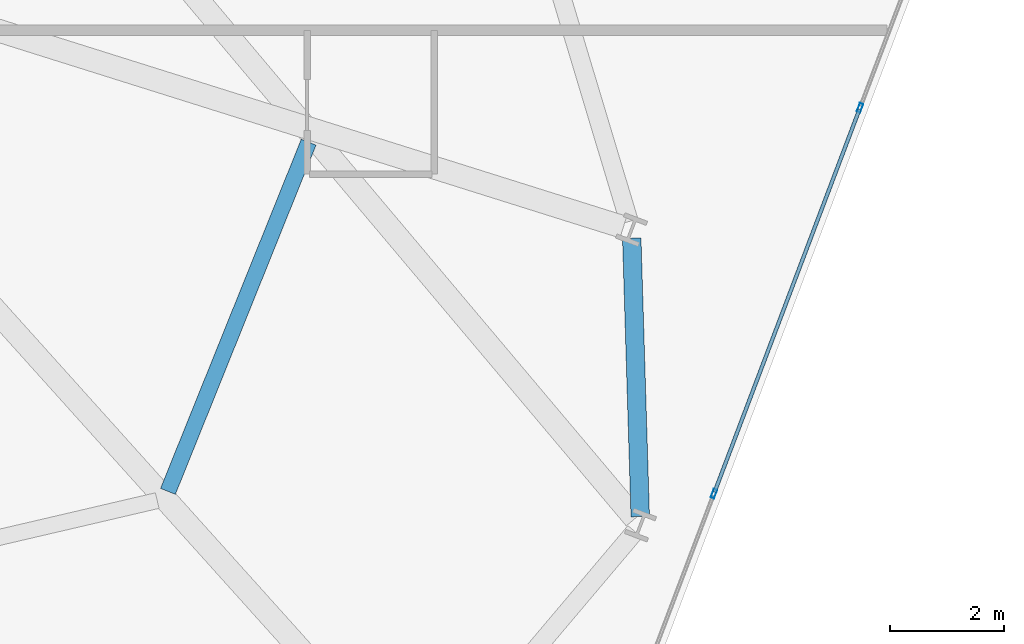
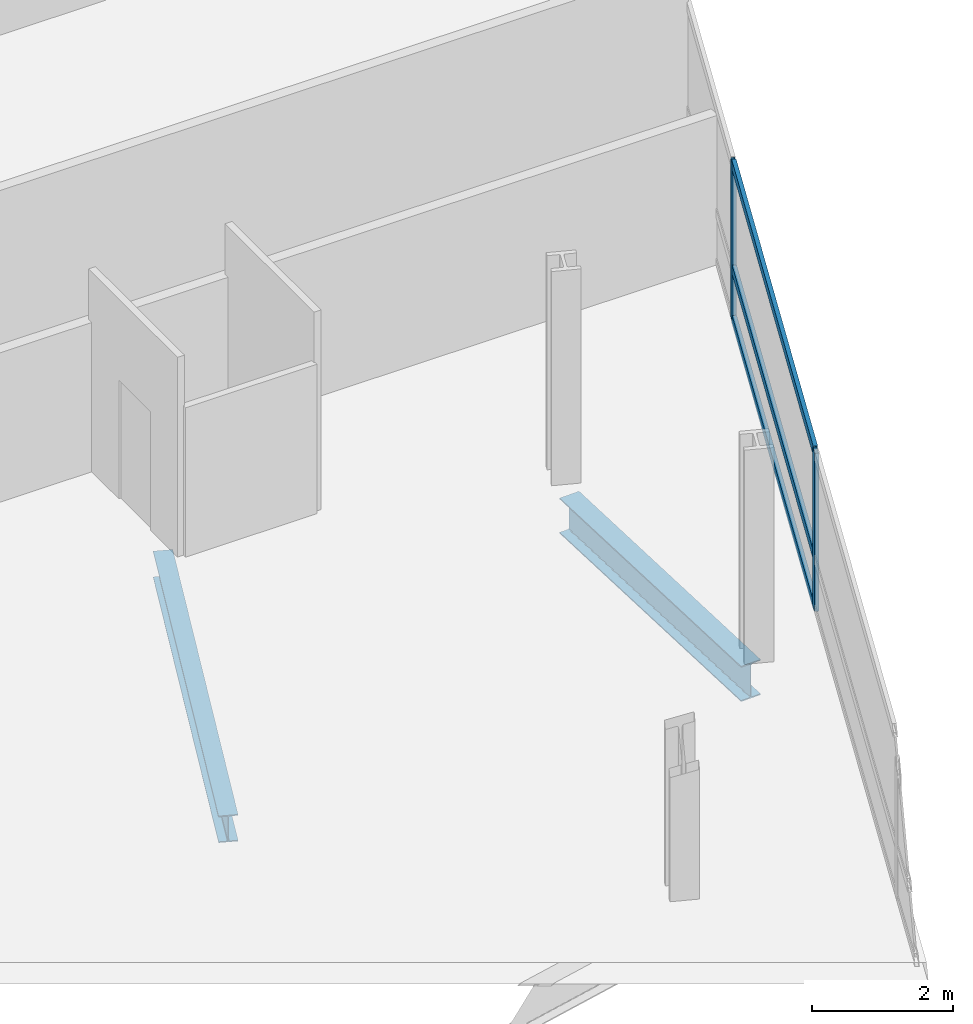
# One storey, part 11 of 24: 5 members, 2 beams, 1 element without a shape of its own.
"""IFC4 building model written with IfcOpenShell, lengths in metres."""

from ifc_helpers import new_model, si_unit, direction, frame, origin, origin_2d, place, context, subcontext, project, spatial, hollow_rectangle, i_section, extrude, material, layer, layer_set, material_profile, profile_set, type_object, element, aggregate, save


model = new_model("IFC4")

# Units and contexts
model_context = context("Model", 3, precision=1e-05, world=origin(), true_north=direction((0.0, 1.0)))
body_context = subcontext(model_context, "Body", "Model", "MODEL_VIEW")
ifc_project = project(units=[si_unit("LENGTHUNIT", "METRE"), si_unit("AREAUNIT", "SQUARE_METRE"), si_unit("VOLUMEUNIT", "CUBIC_METRE"), si_unit("PLANEANGLEUNIT", "RADIAN"), si_unit("MASSUNIT", "GRAM", prefix="KILO")], contexts=[model_context])

# Site, building, storey
site_placement = place(None, origin())
site = spatial("IfcSite", under=ifc_project, at=site_placement, CompositionType="ELEMENT")
building_placement = place(site_placement, origin())
building = spatial("IfcBuilding", under=site, at=building_placement, Name="Varnelok Gate Tower", CompositionType="ELEMENT")
storey_placement = place(building_placement, frame((0.0, 0.0, 102.10009765625)))
storey = spatial("IfcBuildingStorey", under=building, at=storey_placement, Name="L25", CompositionType="ELEMENT", Elevation=102.10009765625)

# Beams
ifc_material_1 = material(Name="Structural Steel ASTM A992 Grade 50", Category="steel")
ifc_material_profile_1 = material_profile(ifc_material_1, i_section(OverallWidth=0.280029296875, OverallDepth=0.462890625, WebThickness=0.0107421875, FlangeThickness=0.017333984375, FilletRadius=0.014892578125, at=origin_2d()), Name="W18X76")
ifc_profile_set_1 = profile_set([ifc_material_profile_1], Name="Structural Steel ASTM A992 Grade 50")
beam_type_1 = type_object("IfcBeamType", Name="BM-JST-W18X76", PredefinedType="JOIST", material=ifc_profile_set_1)
beam_1_placement = place(storey_placement, frame((63.18896484375, 8.764404296875, -0.481689453125), z_axis=(0.373741616313, 0.927532858844, 0.0), x_axis=(-0.927532858844, 0.373741616313, 0.0)))
element("IfcBeam", 1, at=beam_1_placement, inside=storey, type_object=beam_type_1, Name="L25 Sector Floor Joist 6", PredefinedType="JOIST", context=body_context, shape_type="SweptSolid", body=[
    extrude(i_section(OverallWidth=0.280029296875, OverallDepth=0.462890625, WebThickness=0.0107421875, FlangeThickness=0.017333984375, FilletRadius=0.014892578125, at=origin_2d()), origin(), (0.0, 0.0, 1.0), 6.603515625),
])
ifc_material_profile_2 = material_profile(ifc_material_1, i_section(OverallWidth=0.323974609375, OverallDepth=0.611083984375, WebThickness=0.0126953125, FlangeThickness=0.01904296875, FilletRadius=0.01806640625, at=origin_2d()), Name="W24X104")
ifc_profile_set_2 = profile_set([ifc_material_profile_2], Name="Structural Steel ASTM A992 Grade 50")
beam_type_2 = type_object("IfcBeamType", Name="BM-SPN-W24X104", PredefinedType="SPANDREL", material=ifc_profile_set_2)
beam_2_placement = place(storey_placement, frame((71.471923828125, 8.322509765625, -0.5556640625), z_axis=(-0.030393553869, 0.999538009224, 0.0), x_axis=(-0.999538009224, -0.030393553869, 0.0)))
element("IfcBeam", 2, at=beam_2_placement, inside=storey, type_object=beam_type_2, Name="L25 Perimeter Spandrel Beam 7", PredefinedType="SPANDREL", context=body_context, shape_type="SweptSolid", body=[
    extrude(i_section(OverallWidth=0.323974609375, OverallDepth=0.611083984375, WebThickness=0.0126953125, FlangeThickness=0.01904296875, FilletRadius=0.01806640625, at=origin_2d()), origin(), (0.0, 0.0, 1.0), 4.8837890625),
])

# Curtain wall, members
ifc_material_2 = material(Name="Anodized Aluminum Alloy 6063-T6", Category="aluminium")
ifc_layer = layer(ifc_material_2, 0.179931640625)
ifc_layer_set = layer_set([ifc_layer], Name="Anodized Aluminum Alloy 6063-T6")
curtain_wall_type = type_object("IfcCurtainWallType", Name="CW3-HOTEL-VISION", PredefinedType="USERDEFINED", material=ifc_layer_set)
curtain_wall_placement = place(storey_placement, origin())
curtain_wall = element("IfcCurtainWall", 3, at=curtain_wall_placement, inside=storey, type_object=curtain_wall_type, Name="L25 East End Vision Curtain Wall", ObjectType="UNITISED CURTAIN WALL", PredefinedType="USERDEFINED")
ifc_material_profile_3 = material_profile(ifc_material_2, hollow_rectangle(XDim=0.06494140625, YDim=0.159912109375, WallThickness=0.00390625, at=origin_2d()), Name="ALU160X65X4")
ifc_profile_set_3 = profile_set([ifc_material_profile_3], Name="Anodized Aluminum Alloy 6063-T6")
member_type_1 = type_object("IfcMemberType", Name="CW-MULL-160", PredefinedType="MULLION", material=ifc_profile_set_3)
member_1_placement = place(storey_placement, frame((75.328125, 15.4931640625, 0.0), z_axis=(0.0, 0.0, 1.0), x_axis=(0.935221323688, -0.354063660545, 0.0)))
member_1 = element("IfcMember", 4, at=member_1_placement, type_object=member_type_1, Name="CW3 mullion 3", PredefinedType="MULLION", context=body_context, shape_type="SweptSolid", body=[
    extrude(hollow_rectangle(XDim=0.06494140625, YDim=0.159912109375, WallThickness=0.00390625, at=origin_2d()), origin(), (0.0, 0.0, 1.0), 2.72998046875),
])
member_2_placement = place(storey_placement, frame((72.7646484375, 8.72216796875, 0.0), z_axis=(0.0, 0.0, 1.0), x_axis=(0.935221323688, -0.354063660545, 0.0)))
member_2 = element("IfcMember", 5, at=member_2_placement, type_object=member_type_1, Name="CW3 mullion 4", PredefinedType="MULLION", context=body_context, shape_type="SweptSolid", body=[
    extrude(hollow_rectangle(XDim=0.06494140625, YDim=0.159912109375, WallThickness=0.00390625, at=origin_2d()), origin(), (0.0, 0.0, 1.0), 2.72998046875),
])
ifc_material_profile_4 = material_profile(ifc_material_2, hollow_rectangle(XDim=0.06494140625, YDim=0.159912109375, WallThickness=0.00390625, at=origin_2d()), Name="ALU160X65X4")
ifc_profile_set_4 = profile_set([ifc_material_profile_4], Name="Anodized Aluminum Alloy 6063-T6")
member_type_2 = type_object("IfcMemberType", Name="CW-TRAN-160", PredefinedType="USERDEFINED", material=ifc_profile_set_4)
member_3_placement = place(storey_placement, frame((75.316650390625, 15.462646484375, 0.032470703125), z_axis=(-0.354078724634, -0.935215620465, 0.0), x_axis=(0.935215620465, -0.354078724634, 0.0)))
member_3 = element("IfcMember", 6, at=member_3_placement, type_object=member_type_2, Name="CW3 transom 3.1", ObjectType="TRANSOM", PredefinedType="USERDEFINED", context=body_context, shape_type="SweptSolid", body=[
    extrude(hollow_rectangle(XDim=0.06494140625, YDim=0.159912109375, WallThickness=0.00390625, at=origin_2d()), origin(), (0.0, 0.0, 1.0), 7.175048828125),
])
member_4_placement = place(storey_placement, frame((75.316650390625, 15.462646484375, 0.89990234375), z_axis=(-0.354078724634, -0.935215620465, 0.0), x_axis=(0.935215620465, -0.354078724634, 0.0)))
member_4 = element("IfcMember", 7, at=member_4_placement, type_object=member_type_2, Name="CW3 transom 3.2", ObjectType="TRANSOM", PredefinedType="USERDEFINED", context=body_context, shape_type="SweptSolid", body=[
    extrude(hollow_rectangle(XDim=0.06494140625, YDim=0.159912109375, WallThickness=0.00390625, at=origin_2d()), origin(), (0.0, 0.0, 1.0), 7.175048828125),
])
member_5_placement = place(storey_placement, frame((75.316650390625, 15.462646484375, 2.697509765625), z_axis=(-0.354078724634, -0.935215620465, 0.0), x_axis=(0.935215620465, -0.354078724634, 0.0)))
member_5 = element("IfcMember", 8, at=member_5_placement, type_object=member_type_2, Name="CW3 transom 3.3", ObjectType="TRANSOM", PredefinedType="USERDEFINED", context=body_context, shape_type="SweptSolid", body=[
    extrude(hollow_rectangle(XDim=0.06494140625, YDim=0.159912109375, WallThickness=0.00390625, at=origin_2d()), origin(), (0.0, 0.0, 1.0), 7.175048828125),
])
aggregate(curtain_wall, [member_1, member_2, member_3, member_4, member_5])

save(model, "model.ifc")
